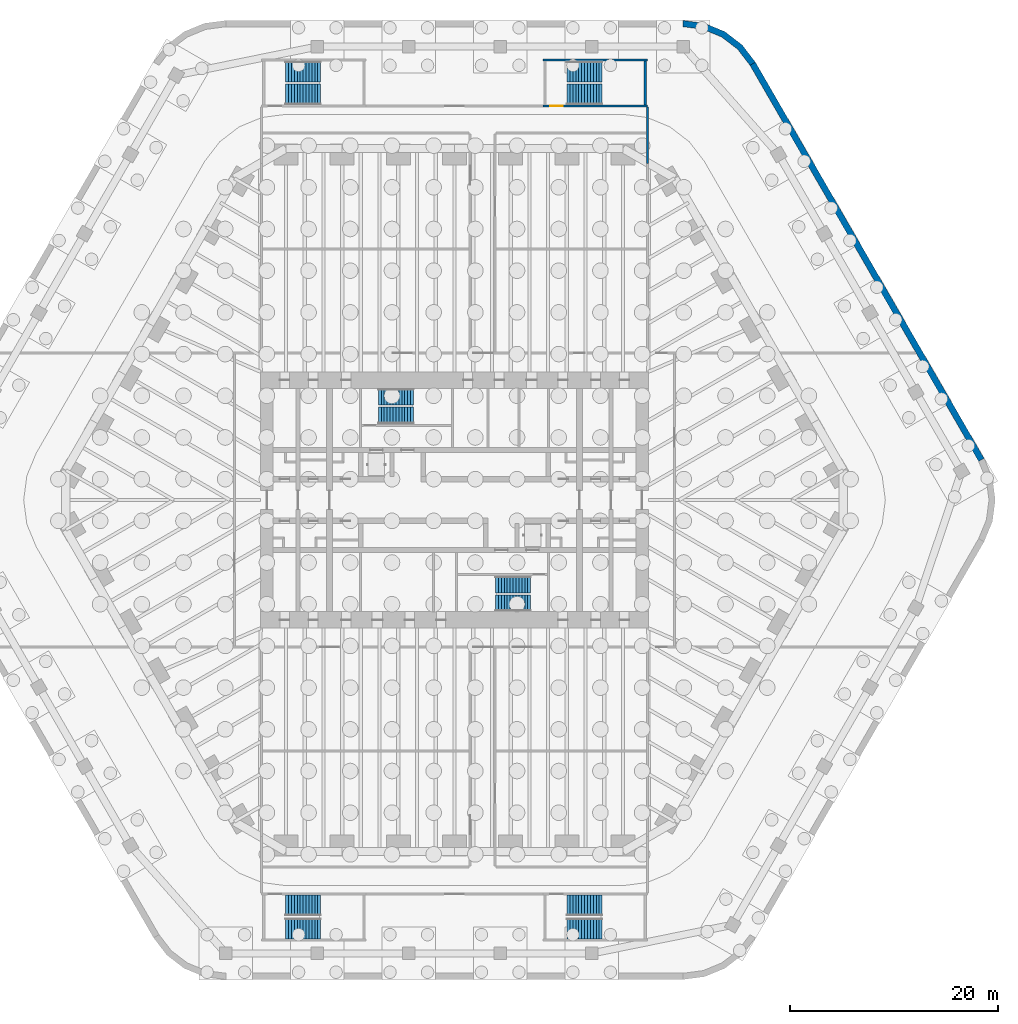
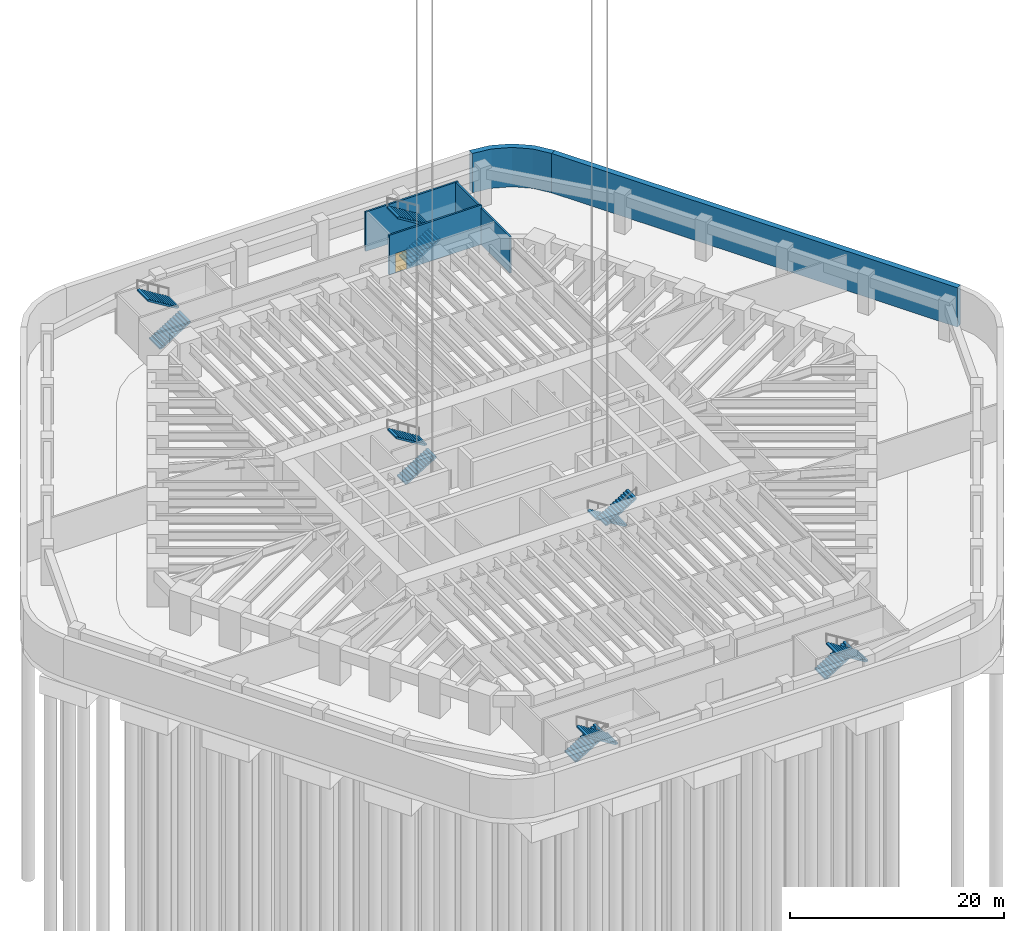
# One storey, part 13 of 17: 12 stair flights, 6 walls, 1 door, 1 opening, 6 elements without a shape of their own.
"""IFC4 building model written with IfcOpenShell, lengths in metres."""

import ifcopenshell
import ifcopenshell.guid

model = None  # the IFC model being written
_history = None  # IfcOwnerHistory: only IFC2X3 demands one
_inside = {}  # id of a spatial element -> (the spatial element, [elements in it])
_under = {}  # id of a project, library or spatial element -> (it, [spatial elements below it])
_declared = {}  # id of a project -> (the project, [libraries it declares])
_typed = {}  # id of a type object -> (the type object, [elements of that type])
_made_of = {}  # id of a material, layer set ... -> (it, [elements and type objects made of it])


def new_model(schema):
    """Start an empty IFC model of exactly this schema.

    Asked for "IFC4X3", IfcOpenShell would pick the latest addendum, in which some entities
    have other attributes; the version numbers below select the first issue.
    IFC2X3 requires an IfcOwnerHistory on every rooted entity: one is made here for all.
    """
    global model, _history
    if schema == "IFC4X3":
        model = ifcopenshell.file(schema_version=(4, 3, 0, 0))
    else:
        model = ifcopenshell.file(schema=schema)
    _inside.clear()
    _under.clear()
    _declared.clear()
    _typed.clear()
    _made_of.clear()
    _history = None
    if model.schema == "IFC2X3":
        org = make("IfcOrganization", Name="unknown")
        user = make(
            "IfcPersonAndOrganization",
            ThePerson=make("IfcPerson", FamilyName="unknown"),
            TheOrganization=org,
        )
        app = make(
            "IfcApplication",
            ApplicationDeveloper=org,
            Version="unknown",
            ApplicationFullName="unknown",
            ApplicationIdentifier="unknown",
        )
        _history = make(
            "IfcOwnerHistory",
            OwningUser=user,
            OwningApplication=app,
            ChangeAction="ADDED",
            CreationDate=0,
        )
    return model


def make(cls, **values):
    """One entity of the class cls with the attributes given. An attribute that is None is left unset."""
    return model.create_entity(
        cls, **{name: value for name, value in values.items() if value is not None}
    )


def rooted(cls, **values):
    """An entity with a GlobalId (a new one), such as an element, a storey or a relation."""
    return make(cls, GlobalId=ifcopenshell.guid.new(), OwnerHistory=_history, **values)


def si_unit(unit_type, name, prefix=None):
    """IfcSIUnit, for example si_unit("LENGTHUNIT", "METRE", prefix="MILLI")."""
    return make("IfcSIUnit", UnitType=unit_type, Prefix=prefix, Name=name)


def assignment(units):
    """IfcUnitAssignment: the units of a project."""
    return None if units is None else make("IfcUnitAssignment", Units=units)


def point(xyz):
    """IfcCartesianPoint."""
    return None if xyz is None else make("IfcCartesianPoint", Coordinates=xyz)


def direction(xyz):
    """IfcDirection."""
    return None if xyz is None else make("IfcDirection", DirectionRatios=xyz)


def frame(location, z_axis=None, x_axis=None):
    """IfcAxis2Placement3D, a coordinate frame: its origin and axes. An axis left out is left unset."""
    return make(
        "IfcAxis2Placement3D",
        Location=point(location),
        Axis=direction(z_axis),
        RefDirection=direction(x_axis),
    )


def frame_2d(location, x_axis=None):
    """IfcAxis2Placement2D, a coordinate frame in the plane: its origin and x axis."""
    return make(
        "IfcAxis2Placement2D", Location=point(location), RefDirection=direction(x_axis)
    )


def origin():
    """The frame at (0, 0, 0) with its axes left unset."""
    return frame((0.0, 0.0, 0.0))


def place(relative_to, where):
    """IfcLocalPlacement: puts the frame where relative to a parent placement (None: the world)."""
    return make(
        "IfcLocalPlacement", PlacementRelTo=relative_to, RelativePlacement=where
    )


def context(
    kind, dimensions, precision=None, world=None, true_north=None, identifier=None
):
    """IfcGeometricRepresentationContext, for example the 3D "Model" context."""
    return make(
        "IfcGeometricRepresentationContext",
        ContextIdentifier=identifier,
        ContextType=kind,
        CoordinateSpaceDimension=dimensions,
        Precision=precision,
        WorldCoordinateSystem=world,
        TrueNorth=true_north,
    )


def subcontext(parent, identifier, kind, view, scale=None):
    """IfcGeometricRepresentationSubContext, for example "Body" below "Model"."""
    return make(
        "IfcGeometricRepresentationSubContext",
        ContextIdentifier=identifier,
        ContextType=kind,
        ParentContext=parent,
        TargetScale=scale,
        TargetView=view,
    )


def project(units=None, contexts=None):
    """IfcProject with its units and contexts."""
    return rooted(
        "IfcProject",
        Name="project",
        RepresentationContexts=contexts,
        UnitsInContext=assignment(units),
    )


def spatial(cls, under=None, at=None, **own):
    """A site, building, storey or space (cls), placed at a placement, below another one or the project."""
    s = rooted(cls, ObjectPlacement=at, **own)
    if under is not None:
        _under.setdefault(under.id(), (under, []))[1].append(s)
    return s


def polyline(points):
    """IfcPolyline through the points."""
    return make("IfcPolyline", Points=[point(p) for p in points])


def profile(cls, at=None, kind="AREA", **sizes):
    """A parametric profile (cls). Its sizes go by their IFC names, for example OverallWidth=200.0."""
    return make(cls, ProfileType=kind, Position=at, **sizes)


def rectangle(**sizes):
    """IfcRectangleProfileDef."""
    return profile("IfcRectangleProfileDef", **sizes)


def outline(outer, holes=None, kind="AREA"):
    """IfcArbitraryClosedProfileDef: a profile drawn as a closed curve; with holes, ...WithVoids."""
    if holes is None:
        return make("IfcArbitraryClosedProfileDef", ProfileType=kind, OuterCurve=outer)
    return make(
        "IfcArbitraryProfileDefWithVoids",
        ProfileType=kind,
        OuterCurve=outer,
        InnerCurves=holes,
    )


def extrude(swept, where, along, depth):
    """IfcExtrudedAreaSolid: the profile swept, set in the frame where, extruded along a direction by depth."""
    return make(
        "IfcExtrudedAreaSolid",
        SweptArea=swept,
        Position=where,
        ExtrudedDirection=direction(along),
        Depth=depth,
    )


def shape(context_of_items, identifier, shape_type, items):
    """IfcShapeRepresentation: the items that make up one representation, for example the "Body"."""
    return make(
        "IfcShapeRepresentation",
        ContextOfItems=context_of_items,
        RepresentationIdentifier=identifier,
        RepresentationType=shape_type,
        Items=items,
    )


def material(Name=None, Category=None):
    """IfcMaterial."""
    return make("IfcMaterial", Name=Name, Category=Category)


def layer(
    of_material, thickness, ventilated=None, Name=None, Category=None, Priority=None
):
    """IfcMaterialLayer: one layer of a wall or slab, of a material (None: an air gap)."""
    return make(
        "IfcMaterialLayer",
        Material=of_material,
        LayerThickness=thickness,
        IsVentilated=ventilated,
        Name=Name,
        Category=Category,
        Priority=Priority,
    )


def layer_set(layers, Name=None):
    """IfcMaterialLayerSet."""
    return make("IfcMaterialLayerSet", MaterialLayers=layers, LayerSetName=Name)


def made_of(thing, what):
    """Note that an element or type object is made of a material, layer set ...; save() writes the relation."""
    if what is not None:
        _made_of.setdefault(what.id(), (what, []))[1].append(thing)
    return thing


def type_object(cls, material=None, **own):
    """A type object (cls), such as IfcWallType, which elements share."""
    return made_of(rooted(cls, **own), material)


def element(
    cls,
    number,
    at=None,
    inside=None,
    cuts=None,
    type_object=None,
    material=None,
    context=None,
    identifier="Body",
    shape_type=None,
    held_by="IfcProductDefinitionShape",
    body=None,
    shapes=None,
    **own,
):
    """One element of the class cls, such as IfcWall. Its Tag is "e" and its number.

    at: its placement. inside: the storey or other place that contains it. cuts: it is an
    opening in that element (IfcRelVoidsElement). A single representation is given by context,
    identifier, shape_type and body (its items); several are given by shapes. held_by: the class
    of the entity that holds the representations. save() writes the other relations.
    """
    e = rooted(cls, Tag="e%d" % number, ObjectPlacement=at, **own)
    if body is not None:
        shapes = [shape(context, identifier, shape_type, body)]
    if shapes is not None:
        e.Representation = make(held_by, Representations=shapes)
    if inside is not None:
        _inside.setdefault(inside.id(), (inside, []))[1].append(e)
    if cuts is not None:
        rooted(
            "IfcRelVoidsElement", RelatingBuildingElement=cuts, RelatedOpeningElement=e
        )
    if type_object is not None:
        _typed.setdefault(type_object.id(), (type_object, []))[1].append(e)
    return made_of(e, material)


def fill(opening, filler):
    """IfcRelFillsElement: the door or window that sits in an opening."""
    return rooted(
        "IfcRelFillsElement",
        RelatingOpeningElement=opening,
        RelatedBuildingElement=filler,
    )


def aggregate(whole, parts):
    """IfcRelAggregates: a whole, such as a stair, and the parts it consists of."""
    return rooted("IfcRelAggregates", RelatingObject=whole, RelatedObjects=parts)


def save(model, path):
    """Write the relations noted so far, then the file.

    IfcRelAggregates (storeys below a building ...), IfcRelContainedInSpatialStructure (elements
    in a storey), IfcRelDefinesByType, IfcRelAssociatesMaterial and IfcRelDeclares: one each for
    every whole, place, type object, material and project.
    """
    for whole, parts in _under.values():
        aggregate(whole, parts)
    for where, things in _inside.values():
        rooted(
            "IfcRelContainedInSpatialStructure",
            RelatedElements=things,
            RelatingStructure=where,
        )
    for kind, things in _typed.values():
        rooted("IfcRelDefinesByType", RelatedObjects=things, RelatingType=kind)
    for what, things in _made_of.values():
        rooted("IfcRelAssociatesMaterial", RelatedObjects=things, RelatingMaterial=what)
    for by, libraries in _declared.values():
        rooted("IfcRelDeclares", RelatingContext=by, RelatedDefinitions=libraries)
    model.write(path)


model = new_model("IFC4")

# Units and contexts
model_context = context("Model", 3, precision=1e-05, world=origin(), true_north=direction((0.0, 1.0)))
body_context = subcontext(model_context, "Body", "Model", "MODEL_VIEW")
ifc_project = project(units=[si_unit("LENGTHUNIT", "METRE"), si_unit("AREAUNIT", "SQUARE_METRE"), si_unit("VOLUMEUNIT", "CUBIC_METRE"), si_unit("PLANEANGLEUNIT", "RADIAN"), si_unit("MASSUNIT", "GRAM", prefix="KILO")], contexts=[model_context])

# Site, building, storey
site_placement = place(None, origin())
site = spatial("IfcSite", under=ifc_project, at=site_placement, CompositionType="ELEMENT")
building_placement = place(site_placement, origin())
building = spatial("IfcBuilding", under=site, at=building_placement, Name="Tarfa Lantern Tower", CompositionType="ELEMENT")
storey_placement = place(building_placement, frame((0.0, 0.0, -9.0)))
storey = spatial("IfcBuildingStorey", under=building, at=storey_placement, Name="B2", CompositionType="ELEMENT", Elevation=-9.0)

# Walls
ifc_material_1 = material(Name="Concrete blockwork", Category="masonry")
ifc_layer_1 = layer(ifc_material_1, 0.199951171875)
ifc_layer_set_1 = layer_set([ifc_layer_1], Name="IW1 BLOCKWORK PARTITION 200 EI 120")
wall_type_1 = type_object("IfcWallType", Name="IW1 BLOCKWORK PARTITION 200 EI 120", PredefinedType="PARTITIONING", material=ifc_layer_set_1)
wall_1_placement = place(storey_placement, frame((18.5, 32.290283203125, 0.0), z_axis=(0.0, 0.0, 1.0), x_axis=(0.0, 1.0, 0.0)))
element("IfcWall", 1, at=wall_1_placement, inside=storey, type_object=wall_type_1, Name="Fire-rated partition", PredefinedType="PARTITIONING", context=body_context, shape_type="SweptSolid", body=[
    extrude(rectangle(XDim=5.40966796875, YDim=0.199951171875, at=frame_2d((2.704833984375, 0.0))), origin(), (0.0, 0.0, 1.0), 4.14990234375),
])
ifc_material_2 = material(Name="Concrete C50/60", Category="concrete")
ifc_layer_2 = layer(ifc_material_2, 0.60009765625)
ifc_layer_set_2 = layer_set([ifc_layer_2], Name="RW1 RETAINING WALL 600")
wall_type_2 = type_object("IfcWallType", Name="RW1 RETAINING WALL 600", PredefinedType="SOLIDWALL", material=ifc_layer_set_2)
wall_2_placement = place(storey_placement, frame((50.547119140625, 3.85009765625, 0.0), z_axis=(0.0, 0.0, 1.0), x_axis=(-0.500002442456, 0.866023993627, 0.0)))
element("IfcWall", 2, at=wall_2_placement, inside=storey, type_object=wall_type_2, Name="Retaining wall NE", PredefinedType="SOLIDWALL", context=body_context, shape_type="SweptSolid", body=[
    extrude(rectangle(XDim=43.878662109375, YDim=0.60009765625, at=frame_2d((21.939453125, 0.0))), origin(), (0.0, 0.0, 1.0), 4.5),
])
wall_3_placement = place(storey_placement, origin())
element("IfcWall", 3, at=wall_3_placement, inside=storey, type_object=wall_type_2, Name="Retaining wall corner NE", PredefinedType="SOLIDWALL", context=body_context, shape_type="SweptSolid", body=[
    extrude(outline(polyline([(28.867431640625, 42.0), (27.59619140625, 43.65673828125), (25.939208984375, 44.92822265625), (24.009765625, 45.727294921875), (21.939208984375, 46.0), (21.939208984375, 45.39990234375), (23.8544921875, 45.14794921875), (25.639404296875, 44.40869140625), (27.171875, 43.232666015625), (28.347900390625, 41.699951171875), (28.867431640625, 42.0)])), origin(), (0.0, 0.0, 1.0), 4.5),
])

# Wall, opening, door
ifc_material_3 = material(Name="Concrete C80/95", Category="concrete")
ifc_layer_3 = layer(ifc_material_3, 0.199951171875)
ifc_layer_set_3 = layer_set([ifc_layer_3], Name="SW12 CORE WALL 200")
wall_type_3 = type_object("IfcWallType", Name="SW12 CORE WALL 200", PredefinedType="SHEAR", material=ifc_layer_set_3)
wall_4_placement = place(storey_placement, frame((8.5, 37.800048828125, 0.0), z_axis=(0.0, 0.0, 1.0), x_axis=(1.0, 0.0, 0.0)))
wall_4 = element("IfcWall", 4, at=wall_4_placement, inside=storey, type_object=wall_type_3, Name="Stair ST3 shaft wall", PredefinedType="SHEAR", context=body_context, shape_type="SweptSolid", body=[
    extrude(rectangle(XDim=10.0, YDim=0.199951171875, at=frame_2d((5.0, 0.0))), origin(), (0.0, 0.0, 1.0), 4.5),
])
opening_placement = place(wall_4_placement, frame((0.699951171875, 0.0, 0.0)))
opening = element("IfcOpeningElement", 5, at=opening_placement, cuts=wall_4, Name="Opening D41", PredefinedType="OPENING", context=body_context, shape_type="SweptSolid", body=[
    extrude(rectangle(XDim=1.199951171875, YDim=2.199951171875, at=frame_2d((0.60009765625, 1.10009765625))), frame((0.0, 0.10986328125, 0.0), z_axis=(0.0, -1.0, 0.0), x_axis=(1.0, 0.0, 0.0)), (0.0, 0.0, 1.0), 0.219970703125),
])
ifc_material_4 = material(Name="Steel fire door", Category="steel")
door_type = type_object("IfcDoorType", Name="DF9 STAIR DOOR 1200x2200", OperationType="SINGLE_SWING_LEFT", PredefinedType="DOOR", material=ifc_material_4)
door_placement = place(opening_placement, origin())
door = element("IfcDoor", 6, at=door_placement, inside=storey, type_object=door_type, Name="Stair door", OperationType="SINGLE_SWING_RIGHT", OverallHeight=2.199951171875, OverallWidth=1.199951171875, PredefinedType="DOOR", context=body_context, shape_type="SweptSolid", body=[
    extrude(rectangle(XDim=1.199951171875, YDim=2.199951171875, at=frame_2d((0.60009765625, 1.10009765625))), frame((0.0, 0.02490234375, 0.0), z_axis=(0.0, -1.0, 0.0), x_axis=(1.0, 0.0, 0.0)), (0.0, 0.0, 1.0), 0.050048828125),
])
fill(opening, door)

# Walls
wall_5_placement = place(storey_placement, frame((18.5, 42.199951171875, 0.0), z_axis=(0.0, 0.0, 1.0), x_axis=(-1.0, 0.0, 0.0)))
element("IfcWall", 7, at=wall_5_placement, inside=storey, type_object=wall_type_3, Name="Stair ST3 shaft wall", PredefinedType="SHEAR", context=body_context, shape_type="SweptSolid", body=[
    extrude(rectangle(XDim=10.0, YDim=0.199951171875, at=frame_2d((5.0, 0.0))), origin(), (0.0, 0.0, 1.0), 4.5),
])
wall_6_placement = place(storey_placement, frame((18.300048828125, 37.89990234375, 0.0), z_axis=(0.0, 0.0, 1.0), x_axis=(0.0, 1.0, 0.0)))
element("IfcWall", 8, at=wall_6_placement, inside=storey, type_object=wall_type_3, Name="Stair ST3 shaft wall", PredefinedType="SHEAR", context=body_context, shape_type="SweptSolid", body=[
    extrude(rectangle(XDim=4.2001953125, YDim=0.199951171875, at=frame_2d((2.10009765625, 0.0))), origin(), (0.0, 0.0, 1.0), 4.5),
])

# Stair, stair flights
ifc_material_5 = material(Name="Concrete C40/50", Category="concrete")
stair_type_1 = type_object("IfcStairType", Name="ST-T1 HALF-TURN STAIR 4500 RISE", PredefinedType="HALF_TURN_STAIR", material=ifc_material_5)
stair_1_placement = place(storey_placement, origin())
stair_1 = element("IfcStair", 9, at=stair_1_placement, inside=storey, type_object=stair_type_1, Name="Stair ST1", PredefinedType="HALF_TURN_STAIR")
stair_flight_type = type_object("IfcStairFlightType", Name="SF1 STAIR FLIGHT", PredefinedType="STRAIGHT", material=ifc_material_5)
stair_flight_1_placement = place(storey_placement, frame((-7.300048828125, 8.10009765625, 0.0), z_axis=(0.0, 0.0, 1.0), x_axis=(1.0, 0.0, 0.0)))
stair_flight_1 = element("IfcStairFlight", 10, at=stair_flight_1_placement, type_object=stair_flight_type, Name="ST1 flight 1", NumberOfRisers=13, NumberOfTreads=12, PredefinedType="STRAIGHT", RiserHeight=0.173076923, TreadLength=0.28, context=body_context, shape_type="SweptSolid", body=[
    extrude(outline(polyline([(0.0, 0.0), (0.0, 0.173095703125), (0.280029296875, 0.173095703125), (0.280029296875, 0.34619140625), (0.56005859375, 0.34619140625), (0.56005859375, 0.519287109375), (0.840087890625, 0.519287109375), (0.840087890625, 0.6923828125), (1.1201171875, 0.6923828125), (1.1201171875, 0.865478515625), (1.39990234375, 0.865478515625), (1.39990234375, 1.03857421875), (1.679931640625, 1.03857421875), (1.679931640625, 1.21142578125), (1.9599609375, 1.21142578125), (1.9599609375, 1.384521484375), (2.239990234375, 1.384521484375), (2.239990234375, 1.5576171875), (2.52001953125, 1.5576171875), (2.52001953125, 1.730712890625), (2.800048828125, 1.730712890625), (2.800048828125, 1.90380859375), (3.080078125, 1.90380859375), (3.080078125, 2.076904296875), (3.360107421875, 2.076904296875), (3.360107421875, 2.25), (3.360107421875, 1.900634765625), (0.28515625, 0.0), (0.0, 0.0)])), frame((0.0, 0.800048828125, 0.0), z_axis=(0.0, -1.0, 0.0), x_axis=(1.0, 0.0, 0.0)), (0.0, 0.0, 1.0), 1.60009765625),
])
stair_flight_2_placement = place(storey_placement, frame((-3.93994140625, 9.89990234375, 2.25), z_axis=(0.0, 0.0, 1.0), x_axis=(-1.0, 0.0, 0.0)))
stair_flight_2 = element("IfcStairFlight", 11, at=stair_flight_2_placement, type_object=stair_flight_type, Name="ST1 flight 2", NumberOfRisers=13, NumberOfTreads=12, PredefinedType="STRAIGHT", RiserHeight=0.173076923, TreadLength=0.28, context=body_context, shape_type="SweptSolid", body=[
    extrude(outline(polyline([(0.0, 0.0), (0.0, 0.173095703125), (0.280029296875, 0.173095703125), (0.280029296875, 0.34619140625), (0.56005859375, 0.34619140625), (0.56005859375, 0.519287109375), (0.840087890625, 0.519287109375), (0.840087890625, 0.6923828125), (1.1201171875, 0.6923828125), (1.1201171875, 0.865478515625), (1.39990234375, 0.865478515625), (1.39990234375, 1.03857421875), (1.679931640625, 1.03857421875), (1.679931640625, 1.21142578125), (1.9599609375, 1.21142578125), (1.9599609375, 1.384521484375), (2.239990234375, 1.384521484375), (2.239990234375, 1.5576171875), (2.52001953125, 1.5576171875), (2.52001953125, 1.730712890625), (2.800048828125, 1.730712890625), (2.800048828125, 1.90380859375), (3.080078125, 1.90380859375), (3.080078125, 2.076904296875), (3.360107421875, 2.076904296875), (3.360107421875, 2.25), (3.360107421875, 1.900634765625), (0.28515625, 0.0), (0.0, 0.0)])), frame((0.0, 0.800048828125, 0.0), z_axis=(0.0, -1.0, 0.0), x_axis=(1.0, 0.0, 0.0)), (0.0, 0.0, 1.0), 1.60009765625),
])
aggregate(stair_1, [stair_flight_1, stair_flight_2])

stair_2_placement = place(storey_placement, origin())
stair_2 = element("IfcStair", 12, at=stair_2_placement, inside=storey, type_object=stair_type_1, Name="Stair ST2", PredefinedType="HALF_TURN_STAIR")
stair_flight_3_placement = place(storey_placement, frame((7.300048828125, -8.10009765625, 0.0), z_axis=(0.0, 0.0, 1.0), x_axis=(-1.0, 0.0, 0.0)))
stair_flight_3 = element("IfcStairFlight", 13, at=stair_flight_3_placement, type_object=stair_flight_type, Name="ST2 flight 1", NumberOfRisers=13, NumberOfTreads=12, PredefinedType="STRAIGHT", RiserHeight=0.173076923, TreadLength=0.28, context=body_context, shape_type="SweptSolid", body=[
    extrude(outline(polyline([(0.0, 0.0), (0.0, 0.173095703125), (0.280029296875, 0.173095703125), (0.280029296875, 0.34619140625), (0.56005859375, 0.34619140625), (0.56005859375, 0.519287109375), (0.840087890625, 0.519287109375), (0.840087890625, 0.6923828125), (1.1201171875, 0.6923828125), (1.1201171875, 0.865478515625), (1.39990234375, 0.865478515625), (1.39990234375, 1.03857421875), (1.679931640625, 1.03857421875), (1.679931640625, 1.21142578125), (1.9599609375, 1.21142578125), (1.9599609375, 1.384521484375), (2.239990234375, 1.384521484375), (2.239990234375, 1.5576171875), (2.52001953125, 1.5576171875), (2.52001953125, 1.730712890625), (2.800048828125, 1.730712890625), (2.800048828125, 1.90380859375), (3.080078125, 1.90380859375), (3.080078125, 2.076904296875), (3.360107421875, 2.076904296875), (3.360107421875, 2.25), (3.360107421875, 1.900634765625), (0.28515625, 0.0), (0.0, 0.0)])), frame((0.0, 0.800048828125, 0.0), z_axis=(0.0, -1.0, 0.0), x_axis=(1.0, 0.0, 0.0)), (0.0, 0.0, 1.0), 1.60009765625),
])
stair_flight_4_placement = place(storey_placement, frame((3.93994140625, -9.89990234375, 2.25), z_axis=(0.0, 0.0, 1.0), x_axis=(1.0, 0.0, 0.0)))
stair_flight_4 = element("IfcStairFlight", 14, at=stair_flight_4_placement, type_object=stair_flight_type, Name="ST2 flight 2", NumberOfRisers=13, NumberOfTreads=12, PredefinedType="STRAIGHT", RiserHeight=0.173076923, TreadLength=0.28, context=body_context, shape_type="SweptSolid", body=[
    extrude(outline(polyline([(0.0, 0.0), (0.0, 0.173095703125), (0.280029296875, 0.173095703125), (0.280029296875, 0.34619140625), (0.56005859375, 0.34619140625), (0.56005859375, 0.519287109375), (0.840087890625, 0.519287109375), (0.840087890625, 0.6923828125), (1.1201171875, 0.6923828125), (1.1201171875, 0.865478515625), (1.39990234375, 0.865478515625), (1.39990234375, 1.03857421875), (1.679931640625, 1.03857421875), (1.679931640625, 1.21142578125), (1.9599609375, 1.21142578125), (1.9599609375, 1.384521484375), (2.239990234375, 1.384521484375), (2.239990234375, 1.5576171875), (2.52001953125, 1.5576171875), (2.52001953125, 1.730712890625), (2.800048828125, 1.730712890625), (2.800048828125, 1.90380859375), (3.080078125, 1.90380859375), (3.080078125, 2.076904296875), (3.360107421875, 2.076904296875), (3.360107421875, 2.25), (3.360107421875, 1.900634765625), (0.28515625, 0.0), (0.0, 0.0)])), frame((0.0, 0.800048828125, 0.0), z_axis=(0.0, -1.0, 0.0), x_axis=(1.0, 0.0, 0.0)), (0.0, 0.0, 1.0), 1.60009765625),
])
aggregate(stair_2, [stair_flight_3, stair_flight_4])

stair_type_2 = type_object("IfcStairType", Name="ST-T2 HALF-TURN STAIR 4500 RISE", PredefinedType="HALF_TURN_STAIR", material=ifc_material_5)
stair_3_placement = place(storey_placement, origin())
stair_3 = element("IfcStair", 15, at=stair_3_placement, inside=storey, type_object=stair_type_2, Name="Stair ST3", PredefinedType="HALF_TURN_STAIR")
stair_flight_5_placement = place(storey_placement, frame((10.800048828125, 38.89990234375, 0.0), z_axis=(0.0, 0.0, 1.0), x_axis=(1.0, 0.0, 0.0)))
stair_flight_5 = element("IfcStairFlight", 16, at=stair_flight_5_placement, type_object=stair_flight_type, Name="ST3 flight 1", NumberOfRisers=13, NumberOfTreads=12, PredefinedType="STRAIGHT", RiserHeight=0.173076923, TreadLength=0.28, context=body_context, shape_type="SweptSolid", body=[
    extrude(outline(polyline([(0.0, 0.0), (0.0, 0.173095703125), (0.280029296875, 0.173095703125), (0.280029296875, 0.34619140625), (0.56005859375, 0.34619140625), (0.56005859375, 0.519287109375), (0.840087890625, 0.519287109375), (0.840087890625, 0.6923828125), (1.1201171875, 0.6923828125), (1.1201171875, 0.865478515625), (1.39990234375, 0.865478515625), (1.39990234375, 1.03857421875), (1.679931640625, 1.03857421875), (1.679931640625, 1.21142578125), (1.9599609375, 1.21142578125), (1.9599609375, 1.384521484375), (2.239990234375, 1.384521484375), (2.239990234375, 1.5576171875), (2.52001953125, 1.5576171875), (2.52001953125, 1.730712890625), (2.800048828125, 1.730712890625), (2.800048828125, 1.90380859375), (3.080078125, 1.90380859375), (3.080078125, 2.076904296875), (3.360107421875, 2.076904296875), (3.360107421875, 2.25), (3.360107421875, 1.900634765625), (0.28515625, 0.0), (0.0, 0.0)])), frame((0.0, 1.0, 0.0), z_axis=(0.0, -1.0, 0.0), x_axis=(1.0, 0.0, 0.0)), (0.0, 0.0, 1.0), 2.0),
])
stair_flight_6_placement = place(storey_placement, frame((14.159912109375, 41.10009765625, 2.25), z_axis=(0.0, 0.0, 1.0), x_axis=(-1.0, 0.0, 0.0)))
stair_flight_6 = element("IfcStairFlight", 17, at=stair_flight_6_placement, type_object=stair_flight_type, Name="ST3 flight 2", NumberOfRisers=13, NumberOfTreads=12, PredefinedType="STRAIGHT", RiserHeight=0.173076923, TreadLength=0.28, context=body_context, shape_type="SweptSolid", body=[
    extrude(outline(polyline([(0.0, 0.0), (0.0, 0.173095703125), (0.280029296875, 0.173095703125), (0.280029296875, 0.34619140625), (0.56005859375, 0.34619140625), (0.56005859375, 0.519287109375), (0.840087890625, 0.519287109375), (0.840087890625, 0.6923828125), (1.1201171875, 0.6923828125), (1.1201171875, 0.865478515625), (1.39990234375, 0.865478515625), (1.39990234375, 1.03857421875), (1.679931640625, 1.03857421875), (1.679931640625, 1.21142578125), (1.9599609375, 1.21142578125), (1.9599609375, 1.384521484375), (2.239990234375, 1.384521484375), (2.239990234375, 1.5576171875), (2.52001953125, 1.5576171875), (2.52001953125, 1.730712890625), (2.800048828125, 1.730712890625), (2.800048828125, 1.90380859375), (3.080078125, 1.90380859375), (3.080078125, 2.076904296875), (3.360107421875, 2.076904296875), (3.360107421875, 2.25), (3.360107421875, 1.900634765625), (0.28515625, 0.0), (0.0, 0.0)])), frame((0.0, 1.0, 0.0), z_axis=(0.0, -1.0, 0.0), x_axis=(1.0, 0.0, 0.0)), (0.0, 0.0, 1.0), 2.0),
])
aggregate(stair_3, [stair_flight_5, stair_flight_6])

stair_4_placement = place(storey_placement, origin())
stair_4 = element("IfcStair", 18, at=stair_4_placement, inside=storey, type_object=stair_type_2, Name="Stair ST4", PredefinedType="HALF_TURN_STAIR")
stair_flight_7_placement = place(storey_placement, frame((-16.199951171875, 38.89990234375, 0.0), z_axis=(0.0, 0.0, 1.0), x_axis=(1.0, 0.0, 0.0)))
stair_flight_7 = element("IfcStairFlight", 19, at=stair_flight_7_placement, type_object=stair_flight_type, Name="ST4 flight 1", NumberOfRisers=13, NumberOfTreads=12, PredefinedType="STRAIGHT", RiserHeight=0.173076923, TreadLength=0.28, context=body_context, shape_type="SweptSolid", body=[
    extrude(outline(polyline([(0.0, 0.0), (0.0, 0.173095703125), (0.280029296875, 0.173095703125), (0.280029296875, 0.34619140625), (0.56005859375, 0.34619140625), (0.56005859375, 0.519287109375), (0.840087890625, 0.519287109375), (0.840087890625, 0.6923828125), (1.1201171875, 0.6923828125), (1.1201171875, 0.865478515625), (1.39990234375, 0.865478515625), (1.39990234375, 1.03857421875), (1.679931640625, 1.03857421875), (1.679931640625, 1.21142578125), (1.9599609375, 1.21142578125), (1.9599609375, 1.384521484375), (2.239990234375, 1.384521484375), (2.239990234375, 1.5576171875), (2.52001953125, 1.5576171875), (2.52001953125, 1.730712890625), (2.800048828125, 1.730712890625), (2.800048828125, 1.90380859375), (3.080078125, 1.90380859375), (3.080078125, 2.076904296875), (3.360107421875, 2.076904296875), (3.360107421875, 2.25), (3.360107421875, 1.900634765625), (0.28515625, 0.0), (0.0, 0.0)])), frame((0.0, 1.0, 0.0), z_axis=(0.0, -1.0, 0.0), x_axis=(1.0, 0.0, 0.0)), (0.0, 0.0, 1.0), 2.0),
])
stair_flight_8_placement = place(storey_placement, frame((-12.840087890625, 41.10009765625, 2.25), z_axis=(0.0, 0.0, 1.0), x_axis=(-1.0, 0.0, 0.0)))
stair_flight_8 = element("IfcStairFlight", 20, at=stair_flight_8_placement, type_object=stair_flight_type, Name="ST4 flight 2", NumberOfRisers=13, NumberOfTreads=12, PredefinedType="STRAIGHT", RiserHeight=0.173076923, TreadLength=0.28, context=body_context, shape_type="SweptSolid", body=[
    extrude(outline(polyline([(0.0, 0.0), (0.0, 0.173095703125), (0.280029296875, 0.173095703125), (0.280029296875, 0.34619140625), (0.56005859375, 0.34619140625), (0.56005859375, 0.519287109375), (0.840087890625, 0.519287109375), (0.840087890625, 0.6923828125), (1.1201171875, 0.6923828125), (1.1201171875, 0.865478515625), (1.39990234375, 0.865478515625), (1.39990234375, 1.03857421875), (1.679931640625, 1.03857421875), (1.679931640625, 1.21142578125), (1.9599609375, 1.21142578125), (1.9599609375, 1.384521484375), (2.239990234375, 1.384521484375), (2.239990234375, 1.5576171875), (2.52001953125, 1.5576171875), (2.52001953125, 1.730712890625), (2.800048828125, 1.730712890625), (2.800048828125, 1.90380859375), (3.080078125, 1.90380859375), (3.080078125, 2.076904296875), (3.360107421875, 2.076904296875), (3.360107421875, 2.25), (3.360107421875, 1.900634765625), (0.28515625, 0.0), (0.0, 0.0)])), frame((0.0, 1.0, 0.0), z_axis=(0.0, -1.0, 0.0), x_axis=(1.0, 0.0, 0.0)), (0.0, 0.0, 1.0), 2.0),
])
aggregate(stair_4, [stair_flight_7, stair_flight_8])

stair_5_placement = place(storey_placement, origin())
stair_5 = element("IfcStair", 21, at=stair_5_placement, inside=storey, type_object=stair_type_2, Name="Stair ST5", PredefinedType="HALF_TURN_STAIR")
stair_flight_9_placement = place(storey_placement, frame((-16.199951171875, -38.89990234375, 0.0), z_axis=(0.0, 0.0, 1.0), x_axis=(1.0, 0.0, 0.0)))
stair_flight_9 = element("IfcStairFlight", 22, at=stair_flight_9_placement, type_object=stair_flight_type, Name="ST5 flight 1", NumberOfRisers=13, NumberOfTreads=12, PredefinedType="STRAIGHT", RiserHeight=0.173076923, TreadLength=0.28, context=body_context, shape_type="SweptSolid", body=[
    extrude(outline(polyline([(0.0, 0.0), (0.0, 0.173095703125), (0.280029296875, 0.173095703125), (0.280029296875, 0.34619140625), (0.56005859375, 0.34619140625), (0.56005859375, 0.519287109375), (0.840087890625, 0.519287109375), (0.840087890625, 0.6923828125), (1.1201171875, 0.6923828125), (1.1201171875, 0.865478515625), (1.39990234375, 0.865478515625), (1.39990234375, 1.03857421875), (1.679931640625, 1.03857421875), (1.679931640625, 1.21142578125), (1.9599609375, 1.21142578125), (1.9599609375, 1.384521484375), (2.239990234375, 1.384521484375), (2.239990234375, 1.5576171875), (2.52001953125, 1.5576171875), (2.52001953125, 1.730712890625), (2.800048828125, 1.730712890625), (2.800048828125, 1.90380859375), (3.080078125, 1.90380859375), (3.080078125, 2.076904296875), (3.360107421875, 2.076904296875), (3.360107421875, 2.25), (3.360107421875, 1.900634765625), (0.28515625, 0.0), (0.0, 0.0)])), frame((0.0, 1.0, 0.0), z_axis=(0.0, -1.0, 0.0), x_axis=(1.0, 0.0, 0.0)), (0.0, 0.0, 1.0), 2.0),
])
stair_flight_10_placement = place(storey_placement, frame((-12.840087890625, -41.10009765625, 2.25), z_axis=(0.0, 0.0, 1.0), x_axis=(-1.0, 0.0, 0.0)))
stair_flight_10 = element("IfcStairFlight", 23, at=stair_flight_10_placement, type_object=stair_flight_type, Name="ST5 flight 2", NumberOfRisers=13, NumberOfTreads=12, PredefinedType="STRAIGHT", RiserHeight=0.173076923, TreadLength=0.28, context=body_context, shape_type="SweptSolid", body=[
    extrude(outline(polyline([(0.0, 0.0), (0.0, 0.173095703125), (0.280029296875, 0.173095703125), (0.280029296875, 0.34619140625), (0.56005859375, 0.34619140625), (0.56005859375, 0.519287109375), (0.840087890625, 0.519287109375), (0.840087890625, 0.6923828125), (1.1201171875, 0.6923828125), (1.1201171875, 0.865478515625), (1.39990234375, 0.865478515625), (1.39990234375, 1.03857421875), (1.679931640625, 1.03857421875), (1.679931640625, 1.21142578125), (1.9599609375, 1.21142578125), (1.9599609375, 1.384521484375), (2.239990234375, 1.384521484375), (2.239990234375, 1.5576171875), (2.52001953125, 1.5576171875), (2.52001953125, 1.730712890625), (2.800048828125, 1.730712890625), (2.800048828125, 1.90380859375), (3.080078125, 1.90380859375), (3.080078125, 2.076904296875), (3.360107421875, 2.076904296875), (3.360107421875, 2.25), (3.360107421875, 1.900634765625), (0.28515625, 0.0), (0.0, 0.0)])), frame((0.0, 1.0, 0.0), z_axis=(0.0, -1.0, 0.0), x_axis=(1.0, 0.0, 0.0)), (0.0, 0.0, 1.0), 2.0),
])
aggregate(stair_5, [stair_flight_9, stair_flight_10])

stair_6_placement = place(storey_placement, origin())
stair_6 = element("IfcStair", 24, at=stair_6_placement, inside=storey, type_object=stair_type_2, Name="Stair ST6", PredefinedType="HALF_TURN_STAIR")
stair_flight_11_placement = place(storey_placement, frame((10.800048828125, -38.89990234375, 0.0), z_axis=(0.0, 0.0, 1.0), x_axis=(1.0, 0.0, 0.0)))
stair_flight_11 = element("IfcStairFlight", 25, at=stair_flight_11_placement, type_object=stair_flight_type, Name="ST6 flight 1", NumberOfRisers=13, NumberOfTreads=12, PredefinedType="STRAIGHT", RiserHeight=0.173076923, TreadLength=0.28, context=body_context, shape_type="SweptSolid", body=[
    extrude(outline(polyline([(0.0, 0.0), (0.0, 0.173095703125), (0.280029296875, 0.173095703125), (0.280029296875, 0.34619140625), (0.56005859375, 0.34619140625), (0.56005859375, 0.519287109375), (0.840087890625, 0.519287109375), (0.840087890625, 0.6923828125), (1.1201171875, 0.6923828125), (1.1201171875, 0.865478515625), (1.39990234375, 0.865478515625), (1.39990234375, 1.03857421875), (1.679931640625, 1.03857421875), (1.679931640625, 1.21142578125), (1.9599609375, 1.21142578125), (1.9599609375, 1.384521484375), (2.239990234375, 1.384521484375), (2.239990234375, 1.5576171875), (2.52001953125, 1.5576171875), (2.52001953125, 1.730712890625), (2.800048828125, 1.730712890625), (2.800048828125, 1.90380859375), (3.080078125, 1.90380859375), (3.080078125, 2.076904296875), (3.360107421875, 2.076904296875), (3.360107421875, 2.25), (3.360107421875, 1.900634765625), (0.28515625, 0.0), (0.0, 0.0)])), frame((0.0, 1.0, 0.0), z_axis=(0.0, -1.0, 0.0), x_axis=(1.0, 0.0, 0.0)), (0.0, 0.0, 1.0), 2.0),
])
stair_flight_12_placement = place(storey_placement, frame((14.159912109375, -41.10009765625, 2.25), z_axis=(0.0, 0.0, 1.0), x_axis=(-1.0, 0.0, 0.0)))
stair_flight_12 = element("IfcStairFlight", 26, at=stair_flight_12_placement, type_object=stair_flight_type, Name="ST6 flight 2", NumberOfRisers=13, NumberOfTreads=12, PredefinedType="STRAIGHT", RiserHeight=0.173076923, TreadLength=0.28, context=body_context, shape_type="SweptSolid", body=[
    extrude(outline(polyline([(0.0, 0.0), (0.0, 0.173095703125), (0.280029296875, 0.173095703125), (0.280029296875, 0.34619140625), (0.56005859375, 0.34619140625), (0.56005859375, 0.519287109375), (0.840087890625, 0.519287109375), (0.840087890625, 0.6923828125), (1.1201171875, 0.6923828125), (1.1201171875, 0.865478515625), (1.39990234375, 0.865478515625), (1.39990234375, 1.03857421875), (1.679931640625, 1.03857421875), (1.679931640625, 1.21142578125), (1.9599609375, 1.21142578125), (1.9599609375, 1.384521484375), (2.239990234375, 1.384521484375), (2.239990234375, 1.5576171875), (2.52001953125, 1.5576171875), (2.52001953125, 1.730712890625), (2.800048828125, 1.730712890625), (2.800048828125, 1.90380859375), (3.080078125, 1.90380859375), (3.080078125, 2.076904296875), (3.360107421875, 2.076904296875), (3.360107421875, 2.25), (3.360107421875, 1.900634765625), (0.28515625, 0.0), (0.0, 0.0)])), frame((0.0, 1.0, 0.0), z_axis=(0.0, -1.0, 0.0), x_axis=(1.0, 0.0, 0.0)), (0.0, 0.0, 1.0), 2.0),
])
aggregate(stair_6, [stair_flight_11, stair_flight_12])

save(model, "model.ifc")
